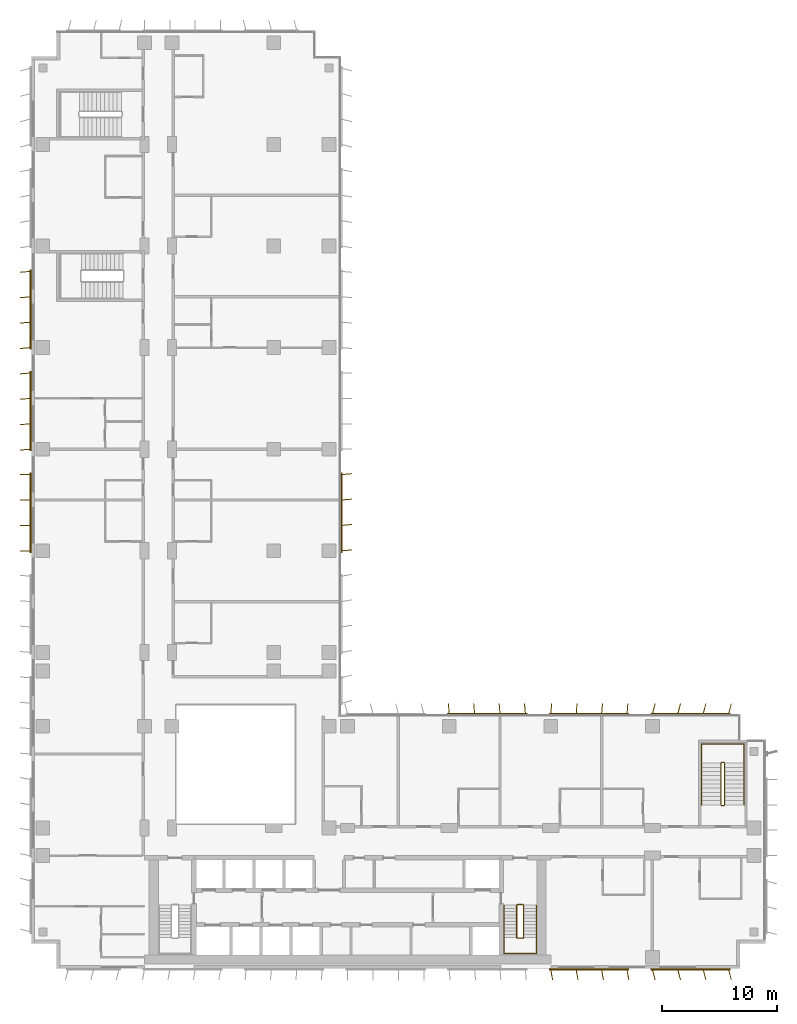
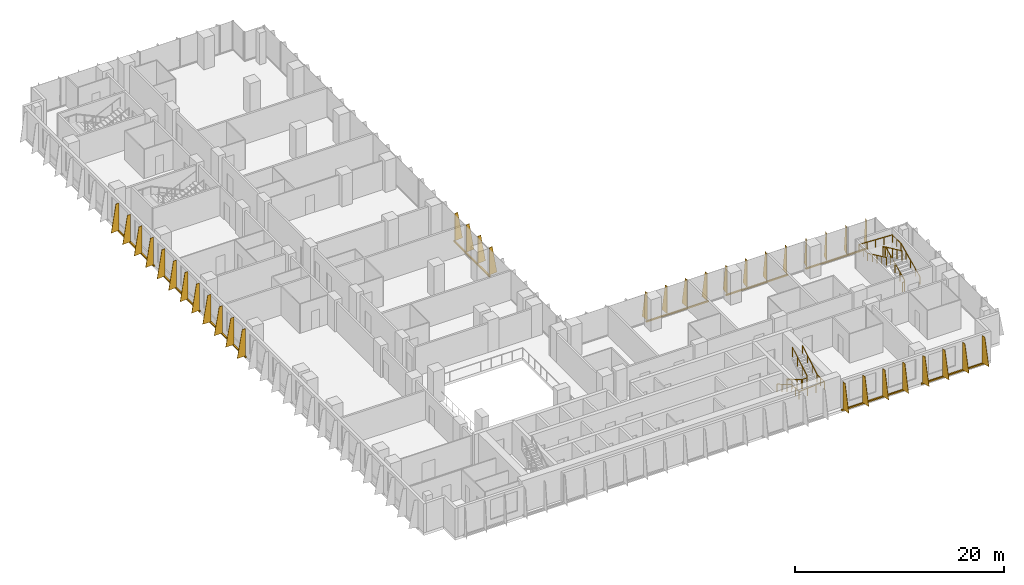
# One storey, part 20 of 22: 9 shading devices, 4 railings.
"""IFC4 building model written with IfcOpenShell, lengths in metres."""

from ifc_helpers import new_model, si_unit, direction, frame, origin, origin_2d, place, context, subcontext, project, spatial, polyline, rectangle, circle, outline, extrude, source, transform, mapped, material, layer, layer_set, type_object, element, save


model = new_model("IFC4")

# Units and contexts
model_context = context("Model", 3, precision=1e-05, world=origin(), true_north=direction((0.0, 1.0)))
body_context = subcontext(model_context, "Body", "Model", "MODEL_VIEW")
ifc_project = project(units=[si_unit("LENGTHUNIT", "METRE"), si_unit("AREAUNIT", "SQUARE_METRE"), si_unit("VOLUMEUNIT", "CUBIC_METRE"), si_unit("PLANEANGLEUNIT", "RADIAN"), si_unit("MASSUNIT", "GRAM", prefix="KILO")], contexts=[model_context])

# Site, building, storey
site_placement = place(None, origin())
site = spatial("IfcSite", under=ifc_project, at=site_placement, CompositionType="ELEMENT")
building_placement = place(site_placement, origin())
building = spatial("IfcBuilding", under=site, at=building_placement, Name="Kemantara Hotel Tower", CompositionType="ELEMENT")
storey_placement = place(building_placement, frame((0.0, 0.0, 125.89990234375)))
storey = spatial("IfcBuildingStorey", under=building, at=storey_placement, Name="L30", CompositionType="ELEMENT", Elevation=125.89990234375)

# Railings
ifc_material_1 = material(Name="Stainless steel balustrade", Category="steel")
railing_type_1 = type_object("IfcRailingType", Name="Stair guard 1100 mm", PredefinedType="GUARDRAIL", material=ifc_material_1)
railing_1_placement = place(storey_placement, frame((42.64990234375, 5.5, 3.7001953125)))
element("IfcRailing", 1, at=railing_1_placement, inside=storey, type_object=railing_type_1, Name="L30 ST2 stair guard 1", PredefinedType="GUARDRAIL", context=body_context, shape_type="SweptSolid", body=[
    extrude(circle(Radius=0.02392578125, at=origin_2d()), frame((0.0, 0.0, 1.076171875), z_axis=(0.0, -0.857242210791, -0.514913383045), x_axis=(1.0, 0.0, 0.0)), (0.0, 0.0, 1.0), 3.266357421875),
    extrude(circle(Radius=0.02392578125, at=origin_2d()), frame((0.0, -2.800048828125, -0.60595703125), z_axis=(-0.273006030465, -0.27434429532, -0.922064485248), x_axis=(0.708833529934, -0.705375805398, 0.0)), (0.0, 0.0, 1.0), 0.182373046875),
    extrude(circle(Radius=0.02392578125, at=origin_2d()), frame((-0.0498046875, -2.85009765625, -0.77392578125), z_axis=(-1.0, 0.0, 0.0), x_axis=(0.0, -1.0, 0.0)), (0.0, 0.0, 1.0), 0.5),
    extrude(circle(Radius=0.02392578125, at=origin_2d()), frame((-0.5498046875, -2.85009765625, -0.77392578125), z_axis=(-0.707106781187, 0.707106781187, 0.0), x_axis=(-0.707106781187, -0.707106781187, 0.0)), (0.0, 0.0, 1.0), 0.07080078125),
    extrude(circle(Radius=0.02392578125, at=origin_2d()), frame((-0.599853515625, -2.800048828125, -0.77392578125), z_axis=(0.0, 0.857242210791, -0.514913383045), x_axis=(-1.0, 0.0, 0.0)), (0.0, 0.0, 1.0), 3.266357421875),
    extrude(circle(Radius=0.02392578125, at=origin_2d()), frame((-0.599853515625, 0.0, -2.4560546875), z_axis=(0.274243871929, 0.274243871929, -0.92172696468), x_axis=(-0.707106781187, 0.707106781187, 0.0)), (0.0, 0.0, 1.0), 0.1826171875),
    extrude(circle(Radius=0.02392578125, at=origin_2d()), frame((-0.5498046875, 0.050048828125, -2.6240234375), z_axis=(1.0, 0.0, 0.0), x_axis=(0.0, 1.0, 0.0)), (0.0, 0.0, 1.0), 0.5),
    extrude(circle(Radius=0.02099609375, at=origin_2d()), origin(), (0.0, 0.0, 1.0), 1.052001953125),
    extrude(circle(Radius=0.02099609375, at=origin_2d()), frame((0.0, -0.933349609375, -0.560546875)), (0.0, 0.0, 1.0), 1.052001953125),
    extrude(circle(Radius=0.02099609375, at=origin_2d()), frame((0.0, -1.86669921875, -1.121337890625)), (0.0, 0.0, 1.0), 1.052001953125),
    extrude(circle(Radius=0.02099609375, at=origin_2d()), frame((0.0, -2.800048828125, -1.681884765625)), (0.0, 0.0, 1.0), 1.052001953125),
    extrude(circle(Radius=0.02099609375, at=origin_2d()), frame((-0.0498046875, -2.85009765625, -1.85009765625)), (0.0, 0.0, 1.0), 1.052001953125),
    extrude(circle(Radius=0.02099609375, at=origin_2d()), frame((-0.5498046875, -2.85009765625, -1.85009765625)), (0.0, 0.0, 1.0), 1.052001953125),
    extrude(circle(Radius=0.02099609375, at=origin_2d()), frame((-0.599853515625, -2.800048828125, -1.85009765625)), (0.0, 0.0, 1.0), 1.052001953125),
    extrude(circle(Radius=0.02099609375, at=origin_2d()), frame((-0.599853515625, -1.86669921875, -2.41064453125)), (0.0, 0.0, 1.0), 1.052001953125),
    extrude(circle(Radius=0.02099609375, at=origin_2d()), frame((-0.599853515625, -0.933349609375, -2.971435546875)), (0.0, 0.0, 1.0), 1.052001953125),
    extrude(circle(Radius=0.02099609375, at=origin_2d()), frame((-0.599853515625, 0.0, -3.531982421875)), (0.0, 0.0, 1.0), 1.052001953125),
    extrude(circle(Radius=0.02099609375, at=origin_2d()), frame((-0.5498046875, 0.050048828125, -3.7001953125)), (0.0, 0.0, 1.0), 1.052001953125),
    extrude(circle(Radius=0.02099609375, at=origin_2d()), frame((-0.0498046875, 0.050048828125, -3.7001953125)), (0.0, 0.0, 1.0), 1.052001953125),
])
railing_2_placement = place(storey_placement, frame((59.75, 14.199951171875, 3.7001953125)))
element("IfcRailing", 2, at=railing_2_placement, inside=storey, type_object=railing_type_1, Name="L30 ST3 stair guard 1", PredefinedType="GUARDRAIL", context=body_context, shape_type="SweptSolid", body=[
    extrude(circle(Radius=0.02392578125, at=origin_2d()), frame((0.0, 0.0, 1.076171875), z_axis=(0.0, 0.906005689286, -0.423265508849), x_axis=(-1.0, 0.0, 0.0)), (0.0, 0.0, 1.0), 3.9736328125),
    extrude(circle(Radius=0.02392578125, at=origin_2d()), frame((0.0, 3.60009765625, -0.60595703125), z_axis=(0.274243871929, 0.274243871929, -0.92172696468), x_axis=(-0.707106781187, 0.707106781187, 0.0)), (0.0, 0.0, 1.0), 0.1826171875),
    extrude(circle(Radius=0.02392578125, at=origin_2d()), frame((0.050048828125, 3.650146484375, -0.77392578125), z_axis=(1.0, 0.0, 0.0), x_axis=(0.0, 1.0, 0.0)), (0.0, 0.0, 1.0), 0.199951171875),
    extrude(circle(Radius=0.02392578125, at=origin_2d()), frame((0.25, 3.650146484375, -0.77392578125), z_axis=(0.707106781187, -0.707106781187, 0.0), x_axis=(0.707106781187, 0.707106781187, 0.0)), (0.0, 0.0, 1.0), 0.07080078125),
    extrude(circle(Radius=0.02392578125, at=origin_2d()), frame((0.300048828125, 3.60009765625, -0.77392578125), z_axis=(0.0, -0.906005689286, -0.423265508849), x_axis=(1.0, 0.0, 0.0)), (0.0, 0.0, 1.0), 3.9736328125),
    extrude(circle(Radius=0.02392578125, at=origin_2d()), frame((0.300048828125, 0.0, -2.4560546875), z_axis=(-0.274243871929, -0.274243871929, -0.92172696468), x_axis=(0.707106781187, -0.707106781187, 0.0)), (0.0, 0.0, 1.0), 0.1826171875),
    extrude(circle(Radius=0.02392578125, at=origin_2d()), frame((0.25, -0.050048828125, -2.6240234375), z_axis=(-1.0, 0.0, 0.0), x_axis=(0.0, -1.0, 0.0)), (0.0, 0.0, 1.0), 0.199951171875),
    extrude(circle(Radius=0.02099609375, at=origin_2d()), origin(), (0.0, 0.0, 1.0), 1.052001953125),
    extrude(circle(Radius=0.02099609375, at=origin_2d()), frame((0.0, 0.89990234375, -0.42041015625)), (0.0, 0.0, 1.0), 1.052001953125),
    extrude(circle(Radius=0.02099609375, at=origin_2d()), frame((0.0, 1.800048828125, -0.8408203125)), (0.0, 0.0, 1.0), 1.052001953125),
    extrude(circle(Radius=0.02099609375, at=origin_2d()), frame((0.0, 2.7001953125, -1.261474609375)), (0.0, 0.0, 1.0), 1.052001953125),
    extrude(circle(Radius=0.02099609375, at=origin_2d()), frame((0.0, 3.60009765625, -1.681884765625)), (0.0, 0.0, 1.0), 1.052001953125),
    extrude(circle(Radius=0.02099609375, at=origin_2d()), frame((0.050048828125, 3.650146484375, -1.85009765625)), (0.0, 0.0, 1.0), 1.052001953125),
    extrude(circle(Radius=0.02099609375, at=origin_2d()), frame((0.25, 3.650146484375, -1.85009765625)), (0.0, 0.0, 1.0), 1.052001953125),
    extrude(circle(Radius=0.02099609375, at=origin_2d()), frame((0.300048828125, 3.60009765625, -1.85009765625)), (0.0, 0.0, 1.0), 1.052001953125),
    extrude(circle(Radius=0.02099609375, at=origin_2d()), frame((0.300048828125, 2.7001953125, -2.2705078125)), (0.0, 0.0, 1.0), 1.052001953125),
    extrude(circle(Radius=0.02099609375, at=origin_2d()), frame((0.300048828125, 1.800048828125, -2.69091796875)), (0.0, 0.0, 1.0), 1.052001953125),
    extrude(circle(Radius=0.02099609375, at=origin_2d()), frame((0.300048828125, 0.89990234375, -3.111572265625)), (0.0, 0.0, 1.0), 1.052001953125),
    extrude(circle(Radius=0.02099609375, at=origin_2d()), frame((0.300048828125, 0.0, -3.531982421875)), (0.0, 0.0, 1.0), 1.052001953125),
    extrude(circle(Radius=0.02099609375, at=origin_2d()), frame((0.25, -0.050048828125, -3.7001953125)), (0.0, 0.0, 1.0), 1.052001953125),
    extrude(circle(Radius=0.02099609375, at=origin_2d()), frame((0.050048828125, -0.050048828125, -3.7001953125)), (0.0, 0.0, 1.0), 1.052001953125),
])
railing_type_2 = type_object("IfcRailingType", Name="Stair handrail 900 mm", PredefinedType="HANDRAIL", material=ifc_material_1)
railing_3_placement = place(storey_placement, frame((40.949951171875, 5.5, 0.168212890625)))
element("IfcRailing", 3, at=railing_3_placement, inside=storey, type_object=railing_type_2, Name="L30 ST2 stair handrail 1", PredefinedType="HANDRAIL", context=body_context, shape_type="SweptSolid", body=[
    extrude(circle(Radius=0.02392578125, at=origin_2d()), frame((0.0, 0.0, 0.8759765625), z_axis=(0.0, -0.857242210791, 0.514913383045), x_axis=(1.0, 0.0, 0.0)), (0.0, 0.0, 1.0), 3.266357421875),
    extrude(circle(Radius=0.02392578125, at=origin_2d()), frame((0.0, -2.800048828125, 2.5576171875), z_axis=(0.0, -1.0, 0.0), x_axis=(1.0, 0.0, 0.0)), (0.0, 0.0, 1.0), 1.3798828125),
    extrude(circle(Radius=0.02392578125, at=origin_2d()), frame((0.0, -4.179931640625, 2.5576171875), z_axis=(0.998200367801, 0.0, 0.059966871865), x_axis=(0.0, 1.0, 0.0)), (0.0, 0.0, 1.0), 2.80517578125),
    extrude(circle(Radius=0.02392578125, at=origin_2d()), frame((2.800048828125, -4.179931640625, 2.72607421875), z_axis=(0.0, 1.0, 0.0), x_axis=(-1.0, 0.0, 0.0)), (0.0, 0.0, 1.0), 1.3798828125),
    extrude(circle(Radius=0.02392578125, at=origin_2d()), frame((2.800048828125, -2.800048828125, 2.72607421875), z_axis=(0.0, 0.857242210791, 0.514913383045), x_axis=(-1.0, 0.0, 0.0)), (0.0, 0.0, 1.0), 3.266357421875),
    extrude(circle(Radius=0.02099609375, at=origin_2d()), origin(), (0.0, 0.0, 1.0), 0.851806640625),
    extrude(circle(Radius=0.02099609375, at=origin_2d()), frame((0.0, -0.933349609375, 0.560546875)), (0.0, 0.0, 1.0), 0.851806640625),
    extrude(circle(Radius=0.02099609375, at=origin_2d()), frame((0.0, -1.86669921875, 1.121337890625)), (0.0, 0.0, 1.0), 0.851806640625),
    extrude(circle(Radius=0.02099609375, at=origin_2d()), frame((0.0, -2.800048828125, 1.681884765625)), (0.0, 0.0, 1.0), 0.851806640625),
    extrude(circle(Radius=0.02099609375, at=origin_2d()), frame((0.0, -3.489990234375, 1.681884765625)), (0.0, 0.0, 1.0), 0.851806640625),
    extrude(circle(Radius=0.02099609375, at=origin_2d()), frame((0.0, -4.179931640625, 1.681884765625)), (0.0, 0.0, 1.0), 0.851806640625),
    extrude(circle(Radius=0.02099609375, at=origin_2d()), frame((0.933349609375, -4.179931640625, 1.738037109375)), (0.0, 0.0, 1.0), 0.851806640625),
    extrude(circle(Radius=0.02099609375, at=origin_2d()), frame((1.86669921875, -4.179931640625, 1.7939453125)), (0.0, 0.0, 1.0), 0.851806640625),
    extrude(circle(Radius=0.02099609375, at=origin_2d()), frame((2.800048828125, -4.179931640625, 1.85009765625)), (0.0, 0.0, 1.0), 0.851806640625),
    extrude(circle(Radius=0.02099609375, at=origin_2d()), frame((2.800048828125, -3.489990234375, 1.85009765625)), (0.0, 0.0, 1.0), 0.851806640625),
    extrude(circle(Radius=0.02099609375, at=origin_2d()), frame((2.800048828125, -2.800048828125, 1.85009765625)), (0.0, 0.0, 1.0), 0.851806640625),
    extrude(circle(Radius=0.02099609375, at=origin_2d()), frame((2.800048828125, -1.86669921875, 2.41064453125)), (0.0, 0.0, 1.0), 0.851806640625),
    extrude(circle(Radius=0.02099609375, at=origin_2d()), frame((2.800048828125, -0.933349609375, 2.971435546875)), (0.0, 0.0, 1.0), 0.851806640625),
    extrude(circle(Radius=0.02099609375, at=origin_2d()), frame((2.800048828125, 0.0, 3.531982421875)), (0.0, 0.0, 1.0), 0.851806640625),
])
railing_4_placement = place(storey_placement, frame((61.75, 14.199951171875, 0.168212890625)))
element("IfcRailing", 4, at=railing_4_placement, inside=storey, type_object=railing_type_2, Name="L30 ST3 stair handrail 1", PredefinedType="HANDRAIL", context=body_context, shape_type="SweptSolid", body=[
    extrude(circle(Radius=0.02392578125, at=origin_2d()), frame((0.0, 0.0, 0.8759765625), z_axis=(0.0, 0.906005689286, 0.423265508849), x_axis=(-1.0, 0.0, 0.0)), (0.0, 0.0, 1.0), 3.9736328125),
    extrude(circle(Radius=0.02392578125, at=origin_2d()), frame((0.0, 3.60009765625, 2.5576171875), z_axis=(0.0, 1.0, 0.0), x_axis=(-1.0, 0.0, 0.0)), (0.0, 0.0, 1.0), 1.679931640625),
    extrude(circle(Radius=0.02392578125, at=origin_2d()), frame((0.0, 5.280029296875, 2.5576171875), z_axis=(-0.998968132438, 0.0, 0.045416631029), x_axis=(0.0, -1.0, 0.0)), (0.0, 0.0, 1.0), 3.703857421875),
    extrude(circle(Radius=0.02392578125, at=origin_2d()), frame((-3.699951171875, 5.280029296875, 2.72607421875), z_axis=(0.0, -1.0, 0.0), x_axis=(1.0, 0.0, 0.0)), (0.0, 0.0, 1.0), 1.679931640625),
    extrude(circle(Radius=0.02392578125, at=origin_2d()), frame((-3.699951171875, 3.60009765625, 2.72607421875), z_axis=(0.0, -0.906005689286, 0.423265508849), x_axis=(1.0, 0.0, 0.0)), (0.0, 0.0, 1.0), 3.9736328125),
    extrude(circle(Radius=0.02099609375, at=origin_2d()), origin(), (0.0, 0.0, 1.0), 0.851806640625),
    extrude(circle(Radius=0.02099609375, at=origin_2d()), frame((0.0, 0.89990234375, 0.42041015625)), (0.0, 0.0, 1.0), 0.851806640625),
    extrude(circle(Radius=0.02099609375, at=origin_2d()), frame((0.0, 1.800048828125, 0.8408203125)), (0.0, 0.0, 1.0), 0.851806640625),
    extrude(circle(Radius=0.02099609375, at=origin_2d()), frame((0.0, 2.7001953125, 1.261474609375)), (0.0, 0.0, 1.0), 0.851806640625),
    extrude(circle(Radius=0.02099609375, at=origin_2d()), frame((0.0, 3.60009765625, 1.681884765625)), (0.0, 0.0, 1.0), 0.851806640625),
    extrude(circle(Radius=0.02099609375, at=origin_2d()), frame((0.0, 4.43994140625, 1.681884765625)), (0.0, 0.0, 1.0), 0.851806640625),
    extrude(circle(Radius=0.02099609375, at=origin_2d()), frame((0.0, 5.280029296875, 1.681884765625)), (0.0, 0.0, 1.0), 0.851806640625),
    extrude(circle(Radius=0.02099609375, at=origin_2d()), frame((-0.925048828125, 5.280029296875, 1.723876953125)), (0.0, 0.0, 1.0), 0.851806640625),
    extrude(circle(Radius=0.02099609375, at=origin_2d()), frame((-1.85009765625, 5.280029296875, 1.76611328125)), (0.0, 0.0, 1.0), 0.851806640625),
    extrude(circle(Radius=0.02099609375, at=origin_2d()), frame((-2.77490234375, 5.280029296875, 1.80810546875)), (0.0, 0.0, 1.0), 0.851806640625),
    extrude(circle(Radius=0.02099609375, at=origin_2d()), frame((-3.699951171875, 5.280029296875, 1.85009765625)), (0.0, 0.0, 1.0), 0.851806640625),
    extrude(circle(Radius=0.02099609375, at=origin_2d()), frame((-3.699951171875, 4.43994140625, 1.85009765625)), (0.0, 0.0, 1.0), 0.851806640625),
    extrude(circle(Radius=0.02099609375, at=origin_2d()), frame((-3.699951171875, 3.60009765625, 1.85009765625)), (0.0, 0.0, 1.0), 0.851806640625),
    extrude(circle(Radius=0.02099609375, at=origin_2d()), frame((-3.699951171875, 2.7001953125, 2.2705078125)), (0.0, 0.0, 1.0), 0.851806640625),
    extrude(circle(Radius=0.02099609375, at=origin_2d()), frame((-3.699951171875, 1.800048828125, 2.69091796875)), (0.0, 0.0, 1.0), 0.851806640625),
    extrude(circle(Radius=0.02099609375, at=origin_2d()), frame((-3.699951171875, 0.89990234375, 3.111572265625)), (0.0, 0.0, 1.0), 0.851806640625),
    extrude(circle(Radius=0.02099609375, at=origin_2d()), frame((-3.699951171875, 0.0, 3.531982421875)), (0.0, 0.0, 1.0), 0.851806640625),
])

# Shading devices
ifc_material_2 = material(Name="Perforated aluminium plate 4 mm bronze anodised", Category="aluminium")
ifc_layer_1 = layer(ifc_material_2, 0.0400390625)
ifc_layer_set_1 = layer_set([ifc_layer_1], Name="Perforated aluminium plate 4 mm bronze anodised")
shading_device_type_1 = type_object("IfcShadingDeviceType", Name="SCREEN FIN CASSETTE, 4 BLADES AT -5.0 DEG, 3200 HIGH", PredefinedType="USERDEFINED", material=ifc_layer_set_1)
shared_shape_1 = source(origin(), body_context, "Body", "SweptSolid", [
    extrude(rectangle(XDim=6.89990234375, YDim=0.14990234375, at=origin_2d()), frame((3.300048828125, -0.074951171875, -0.14990234375), z_axis=(0.0, 0.0, 1.0), x_axis=(1.0, 0.0, 0.0)), (0.0, 0.0, 1.0), 0.14990234375),
    extrude(outline(polyline([(0.0, 0.0), (0.89990234375, 0.0), (0.35009765625, 3.199951171875), (0.0, 3.199951171875), (0.0, 0.0)])), frame((0.02001953125, -0.07666015625, 0.0), z_axis=(-0.996376129781, 0.085056498884, 0.0), x_axis=(-0.085056498884, -0.996376129781, 0.0)), (0.0, 0.0, 1.0), 0.040283203125),
    extrude(outline(polyline([(0.0, 0.0), (0.89990234375, 0.0), (0.35009765625, 3.199951171875), (0.0, 3.199951171875), (0.0, 0.0)])), frame((2.219970703125, -0.07666015625, 0.0), z_axis=(-0.996331773833, 0.085574508182, 0.0), x_axis=(-0.085574508182, -0.996331773833, 0.0)), (0.0, 0.0, 1.0), 0.0400390625),
    extrude(outline(polyline([(0.0, 0.0), (0.89990234375, 0.0), (0.35009765625, 3.199951171875), (0.0, 3.199951171875), (0.0, 0.0)])), frame((4.419921875, -0.07666015625, 0.0), z_axis=(-0.996331773833, 0.085574508182, 0.0), x_axis=(-0.085574508182, -0.996331773833, 0.0)), (0.0, 0.0, 1.0), 0.0400390625),
    extrude(outline(polyline([(0.0, 0.0), (0.89990234375, 0.0), (0.35009765625, 3.199951171875), (0.0, 3.199951171875), (0.0, 0.0)])), frame((6.619873046875, -0.07666015625, 0.0), z_axis=(-0.996331773833, 0.085574508182, 0.0), x_axis=(-0.085574508182, -0.996331773833, 0.0)), (0.0, 0.0, 1.0), 0.0400390625),
])
shading_device_1_placement = place(storey_placement, frame((51.60009765625, 22.0, 0.10009765625), z_axis=(0.0, 0.0, 1.0), x_axis=(-1.0, 0.0, 0.0)))
element("IfcShadingDevice", 5, at=shading_device_1_placement, inside=storey, type_object=shading_device_type_1, Name="SCREEN FIN CASSETTE L30 T2-R13-2", ObjectType="SCREEN FIN", PredefinedType="USERDEFINED", context=body_context, shape_type="MappedRepresentation", body=[
    mapped(shared_shape_1, transform((0.0, 0.0, 0.0))),
])
ifc_layer_2 = layer(ifc_material_2, 0.0400390625)
ifc_layer_set_2 = layer_set([ifc_layer_2], Name="Perforated aluminium plate 4 mm bronze anodised")
shading_device_type_2 = type_object("IfcShadingDeviceType", Name="SCREEN FIN CASSETTE, 4 BLADES AT +0.0 DEG, 3200 HIGH", PredefinedType="USERDEFINED", material=ifc_layer_set_2)
shared_shape_2 = source(origin(), body_context, "Body", "SweptSolid", [
    extrude(rectangle(XDim=6.89990234375, YDim=0.14990234375, at=origin_2d()), frame((3.300048828125, -0.074951171875, -0.14990234375), z_axis=(0.0, 0.0, 1.0), x_axis=(1.0, 0.0, 0.0)), (0.0, 0.0, 1.0), 0.14990234375),
    extrude(outline(polyline([(0.0, 0.0), (0.89990234375, 0.0), (0.35009765625, 3.199951171875), (0.0, 3.199951171875), (0.0, 0.0)])), frame((0.02001953125, -0.074951171875, 0.0), z_axis=(-1.0, 0.0, 0.0), x_axis=(0.0, -1.0, 0.0)), (0.0, 0.0, 1.0), 0.0400390625),
    extrude(outline(polyline([(0.0, 0.0), (0.89990234375, 0.0), (0.35009765625, 3.199951171875), (0.0, 3.199951171875), (0.0, 0.0)])), frame((2.219970703125, -0.074951171875, 0.0), z_axis=(-1.0, 0.0, 0.0), x_axis=(0.0, -1.0, 0.0)), (0.0, 0.0, 1.0), 0.0400390625),
    extrude(outline(polyline([(0.0, 0.0), (0.89990234375, 0.0), (0.35009765625, 3.199951171875), (0.0, 3.199951171875), (0.0, 0.0)])), frame((4.419921875, -0.074951171875, 0.0), z_axis=(-1.0, 0.0, 0.0), x_axis=(0.0, -1.0, 0.0)), (0.0, 0.0, 1.0), 0.0400390625),
    extrude(outline(polyline([(0.0, 0.0), (0.89990234375, 0.0), (0.35009765625, 3.199951171875), (0.0, 3.199951171875), (0.0, 0.0)])), frame((6.6201171875, -0.074951171875, 0.0), z_axis=(-1.0, 0.0, 0.0), x_axis=(0.0, -1.0, 0.0)), (0.0, 0.0, 1.0), 0.0400390625),
])
shading_device_2_placement = place(storey_placement, frame((0.0, 42.800048828125, 0.10009765625), z_axis=(0.0, 0.0, 1.0), x_axis=(0.0, -1.0, 0.0)))
element("IfcShadingDevice", 6, at=shading_device_2_placement, inside=storey, type_object=shading_device_type_2, Name="SCREEN FIN CASSETTE L30 T2-R04-5", ObjectType="SCREEN FIN", PredefinedType="USERDEFINED", context=body_context, shape_type="MappedRepresentation", body=[
    mapped(shared_shape_2, transform((0.0, 0.0, 0.0))),
])
ifc_layer_3 = layer(ifc_material_2, 0.0400390625)
ifc_layer_set_3 = layer_set([ifc_layer_3], Name="Perforated aluminium plate 4 mm bronze anodised")
shading_device_type_3 = type_object("IfcShadingDeviceType", Name="SCREEN FIN CASSETTE, 4 BLADES AT +5.0 DEG, 3200 HIGH", PredefinedType="USERDEFINED", material=ifc_layer_set_3)
shared_shape_3 = source(origin(), body_context, "Body", "SweptSolid", [
    extrude(rectangle(XDim=6.89990234375, YDim=0.14990234375, at=origin_2d()), frame((3.300048828125, -0.074951171875, -0.14990234375), z_axis=(0.0, 0.0, 1.0), x_axis=(1.0, 0.0, 0.0)), (0.0, 0.0, 1.0), 0.14990234375),
    extrude(outline(polyline([(0.0, 0.0), (0.89990234375, 0.0), (0.35009765625, 3.199951171875), (0.0, 3.199951171875), (0.0, 0.0)])), frame((0.02001953125, -0.0732421875, 0.0), z_axis=(-0.996376129781, -0.085056498884, 0.0), x_axis=(0.085056498884, -0.996376129781, 0.0)), (0.0, 0.0, 1.0), 0.040283203125),
    extrude(outline(polyline([(0.0, 0.0), (0.89990234375, 0.0), (0.35009765625, 3.199951171875), (0.0, 3.199951171875), (0.0, 0.0)])), frame((2.219970703125, -0.0732421875, 0.0), z_axis=(-0.996331773833, -0.085574508182, 0.0), x_axis=(0.085574508182, -0.996331773833, 0.0)), (0.0, 0.0, 1.0), 0.0400390625),
    extrude(outline(polyline([(0.0, 0.0), (0.89990234375, 0.0), (0.35009765625, 3.199951171875), (0.0, 3.199951171875), (0.0, 0.0)])), frame((4.419921875, -0.0732421875, 0.0), z_axis=(-0.996331773833, -0.085574508182, 0.0), x_axis=(0.085574508182, -0.996331773833, 0.0)), (0.0, 0.0, 1.0), 0.0400390625),
    extrude(outline(polyline([(0.0, 0.0), (0.89990234375, 0.0), (0.35009765625, 3.199951171875), (0.0, 3.199951171875), (0.0, 0.0)])), frame((6.619873046875, -0.0732421875, 0.0), z_axis=(-0.996331773833, -0.085574508182, 0.0), x_axis=(0.085574508182, -0.996331773833, 0.0)), (0.0, 0.0, 1.0), 0.0400390625),
])
for number, where, z_axis, x_axis, name in (
    (7, (0.0, 60.39990234375, 0.10009765625), (0.0, 0.0, 1.0), (0.0, -1.0, 0.0), "SCREEN FIN CASSETTE L30 T2-R04-3"),
    (8, (0.0, 51.60009765625, 0.10009765625), (0.0, 0.0, 1.0), (0.0, -1.0, 0.0), "SCREEN FIN CASSETTE L30 T2-R04-4"),
    (9, (42.800048828125, 22.0, 0.10009765625), (0.0, 0.0, 1.0), (-1.0, 0.0, 0.0), "SCREEN FIN CASSETTE L30 T2-R13-3"),
    (10, (26.800048828125, 36.199951171875, 0.10009765625), (0.0, 0.0, 1.0), (0.0, 1.0, 0.0), "SCREEN FIN CASSETTE L30 T2-R14-3"),
):
    element("IfcShadingDevice", number, at=place(storey_placement, frame(where, z_axis=z_axis, x_axis=x_axis)), inside=storey, type_object=shading_device_type_3, Name=name, ObjectType="SCREEN FIN", PredefinedType="USERDEFINED", context=body_context, shape_type="MappedRepresentation", body=[
        mapped(shared_shape_3, transform((0.0, 0.0, 0.0))),
    ])
ifc_layer_4 = layer(ifc_material_2, 0.0400390625)
ifc_layer_set_4 = layer_set([ifc_layer_4], Name="Perforated aluminium plate 4 mm bronze anodised")
shading_device_type_4 = type_object("IfcShadingDeviceType", Name="SCREEN FIN CASSETTE, 4 BLADES AT +10.0 DEG, 3200 HIGH", PredefinedType="USERDEFINED", material=ifc_layer_set_4)
shared_shape_4 = source(origin(), body_context, "Body", "SweptSolid", [
    extrude(rectangle(XDim=6.89990234375, YDim=0.14990234375, at=origin_2d()), frame((3.300048828125, -0.074951171875, -0.14990234375), z_axis=(0.0, 0.0, 1.0), x_axis=(1.0, 0.0, 0.0)), (0.0, 0.0, 1.0), 0.14990234375),
    extrude(outline(polyline([(0.0, 0.0), (0.89990234375, 0.0), (0.35009765625, 3.199951171875), (0.0, 3.199951171875), (0.0, 0.0)])), frame((0.019775390625, -0.071533203125, 0.0), z_axis=(-0.985389793052, -0.170314285219, 0.0), x_axis=(0.170314285219, -0.985389793052, 0.0)), (0.0, 0.0, 1.0), 0.0400390625),
    extrude(outline(polyline([(0.0, 0.0), (0.89990234375, 0.0), (0.35009765625, 3.199951171875), (0.0, 3.199951171875), (0.0, 0.0)])), frame((2.2197265625, -0.071533203125, 0.0), z_axis=(-0.98521175482, -0.171341174751, 0.0), x_axis=(0.171341174751, -0.98521175482, 0.0)), (0.0, 0.0, 1.0), 0.039794921875),
    extrude(outline(polyline([(0.0, 0.0), (0.89990234375, 0.0), (0.35009765625, 3.199951171875), (0.0, 3.199951171875), (0.0, 0.0)])), frame((4.419677734375, -0.071533203125, 0.0), z_axis=(-0.98521175482, -0.171341174751, 0.0), x_axis=(0.171341174751, -0.98521175482, 0.0)), (0.0, 0.0, 1.0), 0.039794921875),
    extrude(outline(polyline([(0.0, 0.0), (0.89990234375, 0.0), (0.35009765625, 3.199951171875), (0.0, 3.199951171875), (0.0, 0.0)])), frame((6.61962890625, -0.071533203125, 0.0), z_axis=(-0.98521175482, -0.171341174751, 0.0), x_axis=(0.171341174751, -0.98521175482, 0.0)), (0.0, 0.0, 1.0), 0.039794921875),
])
shading_device_3_placement = place(storey_placement, frame((45.0, 0.0, 0.10009765625), z_axis=(0.0, 0.0, 1.0), x_axis=(1.0, 0.0, 0.0)))
element("IfcShadingDevice", 11, at=shading_device_3_placement, inside=storey, type_object=shading_device_type_4, Name="SCREEN FIN CASSETTE L30 T2-R07-6", ObjectType="SCREEN FIN", PredefinedType="USERDEFINED", context=body_context, shape_type="MappedRepresentation", body=[
    mapped(shared_shape_4, transform((0.0, 0.0, 0.0))),
])
ifc_layer_5 = layer(ifc_material_2, 0.0400390625)
ifc_layer_set_5 = layer_set([ifc_layer_5], Name="Perforated aluminium plate 4 mm bronze anodised")
shading_device_type_5 = type_object("IfcShadingDeviceType", Name="SCREEN FIN CASSETTE, 4 BLADES AT +15.0 DEG, 3200 HIGH", PredefinedType="USERDEFINED", material=ifc_layer_set_5)
shared_shape_5 = source(origin(), body_context, "Body", "SweptSolid", [
    extrude(rectangle(XDim=6.89990234375, YDim=0.14990234375, at=origin_2d()), frame((3.300048828125, -0.074951171875, -0.14990234375), z_axis=(0.0, 0.0, 1.0), x_axis=(1.0, 0.0, 0.0)), (0.0, 0.0, 1.0), 0.14990234375),
    extrude(outline(polyline([(0.0, 0.0), (0.89990234375, 0.0), (0.35009765625, 3.199951171875), (0.0, 3.199951171875), (0.0, 0.0)])), frame((0.019287109375, -0.06982421875, 0.0), z_axis=(-0.966437683387, -0.256901156343, 0.0), x_axis=(0.256901156343, -0.966437683387, 0.0)), (0.0, 0.0, 1.0), 0.039794921875),
    extrude(outline(polyline([(0.0, 0.0), (0.89990234375, 0.0), (0.35009765625, 3.199951171875), (0.0, 3.199951171875), (0.0, 0.0)])), frame((2.21923828125, -0.06982421875, 0.0), z_axis=(-0.966437683387, -0.256901156343, 0.0), x_axis=(0.256901156343, -0.966437683387, 0.0)), (0.0, 0.0, 1.0), 0.039794921875),
    extrude(outline(polyline([(0.0, 0.0), (0.89990234375, 0.0), (0.35009765625, 3.199951171875), (0.0, 3.199951171875), (0.0, 0.0)])), frame((4.41943359375, -0.06982421875, 0.0), z_axis=(-0.966837822169, -0.255391122837, 0.0), x_axis=(0.255391122837, -0.966837822169, 0.0)), (0.0, 0.0, 1.0), 0.0400390625),
    extrude(outline(polyline([(0.0, 0.0), (0.89990234375, 0.0), (0.35009765625, 3.199951171875), (0.0, 3.199951171875), (0.0, 0.0)])), frame((6.619384765625, -0.06982421875, 0.0), z_axis=(-0.966837822169, -0.255391122837, 0.0), x_axis=(0.255391122837, -0.966837822169, 0.0)), (0.0, 0.0, 1.0), 0.0400390625),
])
shading_device_4_placement = place(storey_placement, frame((53.800048828125, 0.0, 0.10009765625), z_axis=(0.0, 0.0, 1.0), x_axis=(1.0, 0.0, 0.0)))
element("IfcShadingDevice", 12, at=shading_device_4_placement, inside=storey, type_object=shading_device_type_5, Name="SCREEN FIN CASSETTE L30 T2-R07-7", ObjectType="SCREEN FIN", PredefinedType="USERDEFINED", context=body_context, shape_type="MappedRepresentation", body=[
    mapped(shared_shape_5, transform((0.0, 0.0, 0.0))),
])
ifc_layer_6 = layer(ifc_material_2, 0.0400390625)
ifc_layer_set_6 = layer_set([ifc_layer_6], Name="Perforated aluminium plate 4 mm bronze anodised")
shading_device_type_6 = type_object("IfcShadingDeviceType", Name="SCREEN FIN CASSETTE, 4 BLADES AT -15.0 DEG, 3200 HIGH", PredefinedType="USERDEFINED", material=ifc_layer_set_6)
shared_shape_6 = source(origin(), body_context, "Body", "SweptSolid", [
    extrude(rectangle(XDim=6.89990234375, YDim=0.14990234375, at=origin_2d()), frame((3.300048828125, -0.074951171875, -0.14990234375), z_axis=(0.0, 0.0, 1.0), x_axis=(1.0, 0.0, 0.0)), (0.0, 0.0, 1.0), 0.14990234375),
    extrude(outline(polyline([(0.0, 0.0), (0.89990234375, 0.0), (0.35009765625, 3.199951171875), (0.0, 3.199951171875), (0.0, 0.0)])), frame((0.019287109375, -0.080078125, 0.0), z_axis=(-0.966437683387, 0.256901156343, 0.0), x_axis=(-0.256901156343, -0.966437683387, 0.0)), (0.0, 0.0, 1.0), 0.039794921875),
    extrude(outline(polyline([(0.0, 0.0), (0.89990234375, 0.0), (0.35009765625, 3.199951171875), (0.0, 3.199951171875), (0.0, 0.0)])), frame((2.21923828125, -0.080078125, 0.0), z_axis=(-0.966437683387, 0.256901156343, 0.0), x_axis=(-0.256901156343, -0.966437683387, 0.0)), (0.0, 0.0, 1.0), 0.039794921875),
    extrude(outline(polyline([(0.0, 0.0), (0.89990234375, 0.0), (0.35009765625, 3.199951171875), (0.0, 3.199951171875), (0.0, 0.0)])), frame((4.41943359375, -0.080078125, 0.0), z_axis=(-0.966837822169, 0.255391122837, 0.0), x_axis=(-0.255391122837, -0.966837822169, 0.0)), (0.0, 0.0, 1.0), 0.0400390625),
    extrude(outline(polyline([(0.0, 0.0), (0.89990234375, 0.0), (0.35009765625, 3.199951171875), (0.0, 3.199951171875), (0.0, 0.0)])), frame((6.619384765625, -0.080078125, 0.0), z_axis=(-0.966837822169, 0.255391122837, 0.0), x_axis=(-0.255391122837, -0.966837822169, 0.0)), (0.0, 0.0, 1.0), 0.0400390625),
])
shading_device_5_placement = place(storey_placement, frame((60.39990234375, 22.0, 0.10009765625), z_axis=(0.0, 0.0, 1.0), x_axis=(-1.0, 0.0, 0.0)))
element("IfcShadingDevice", 13, at=shading_device_5_placement, inside=storey, type_object=shading_device_type_6, Name="SCREEN FIN CASSETTE L30 T2-R13-1", ObjectType="SCREEN FIN", PredefinedType="USERDEFINED", context=body_context, shape_type="MappedRepresentation", body=[
    mapped(shared_shape_6, transform((0.0, 0.0, 0.0))),
])

save(model, "model.ifc")
